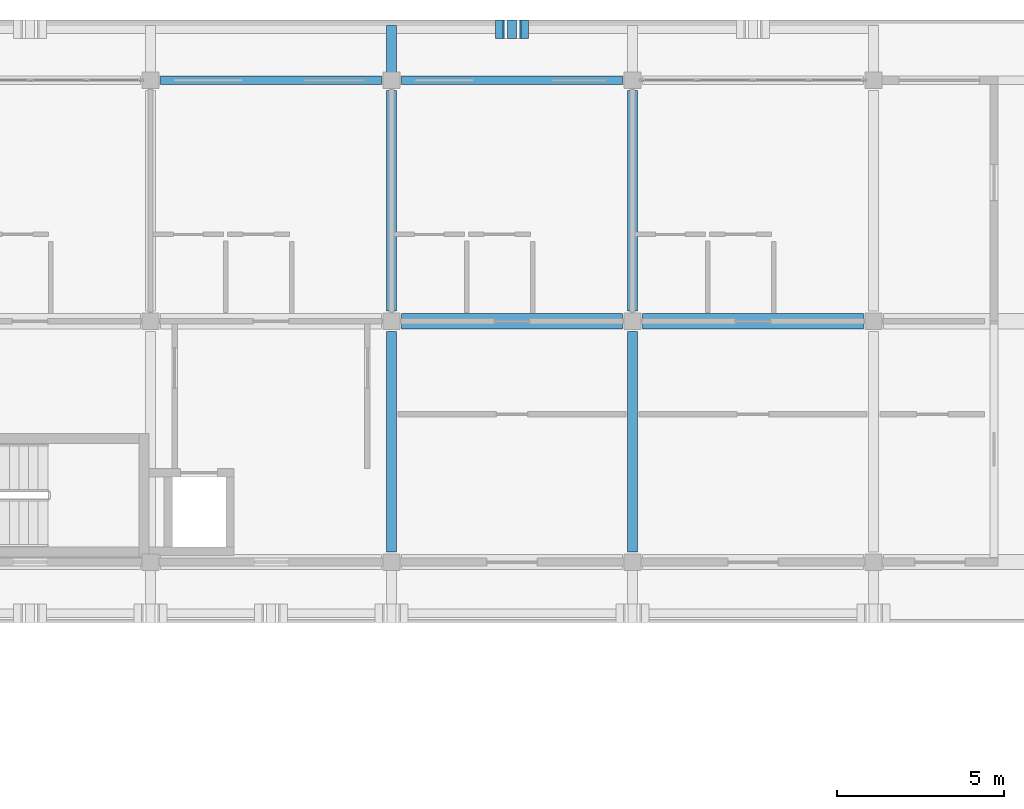
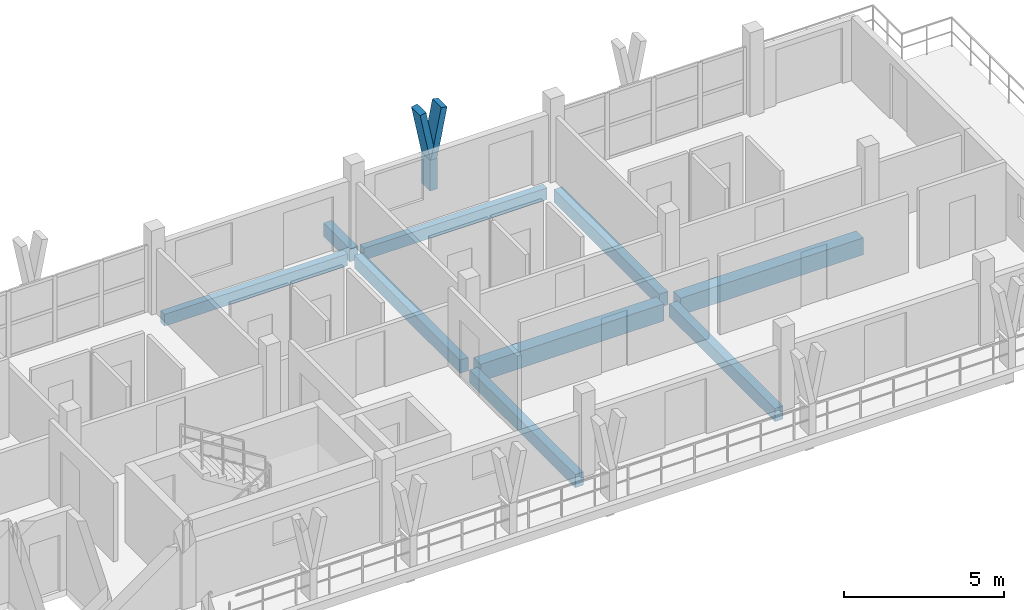
# One storey, part 12 of 45: 9 beams, 3 members.
"""IFC4 building model written with IfcOpenShell, lengths in metres."""

from ifc_helpers import new_model, si_unit, direction, frame, origin, origin_2d, place, context, subcontext, project, spatial, rectangle, extrude, material, material_profile, profile_set, type_object, element, save


model = new_model("IFC4")

# Units and contexts
model_context = context("Model", 3, precision=1e-05, world=origin(), true_north=direction((0.0, 1.0)))
body_context = subcontext(model_context, "Body", "Model", "MODEL_VIEW")
ifc_project = project(units=[si_unit("LENGTHUNIT", "METRE"), si_unit("AREAUNIT", "SQUARE_METRE"), si_unit("VOLUMEUNIT", "CUBIC_METRE"), si_unit("PLANEANGLEUNIT", "RADIAN"), si_unit("MASSUNIT", "GRAM", prefix="KILO")], contexts=[model_context])

# Site, building, storey
site_placement = place(None, origin())
site = spatial("IfcSite", under=ifc_project, at=site_placement, CompositionType="ELEMENT")
building_placement = place(site_placement, origin())
building = spatial("IfcBuilding", under=site, at=building_placement, Name="Suanplinth Sawtooth Commons", CompositionType="ELEMENT")
storey_placement = place(building_placement, frame((0.0, 0.0, 38.0)))
storey = spatial("IfcBuildingStorey", under=building, at=storey_placement, Name="L11", CompositionType="ELEMENT", Elevation=38.0)

# Beams
ifc_material_1 = material(Name="Precast concrete C40/50", Category="concrete")
ifc_material_profile_1 = material_profile(ifc_material_1, rectangle(XDim=0.449951171875, YDim=0.64990234375, at=origin_2d()), Name="PC-GDR 450x650")
ifc_profile_set_1 = profile_set([ifc_material_profile_1], Name="Precast concrete C40/50")
beam_type_1 = type_object("IfcBeamType", Name="B-04", PredefinedType="USERDEFINED", material=ifc_profile_set_1)
beam_1_placement = place(storey_placement, frame((72.300048828125, 115.199951171875, -0.56494140625), z_axis=(1.0, 0.0, 0.0), x_axis=(0.0, 1.0, 0.0)))
element("IfcBeam", 1, at=beam_1_placement, inside=storey, type_object=beam_type_1, Name="BMX-L11-A-10-16", ObjectType="GIRDER", PredefinedType="USERDEFINED", context=body_context, shape_type="SweptSolid", body=[
    extrude(rectangle(XDim=0.449951171875, YDim=0.64990234375, at=origin_2d()), origin(), (0.0, 0.0, 1.0), 6.599853515625),
])
beam_2_placement = place(storey_placement, frame((79.5, 115.199951171875, -0.56494140625), z_axis=(1.0, 0.0, 0.0), x_axis=(0.0, 1.0, 0.0)))
element("IfcBeam", 2, at=beam_2_placement, inside=storey, type_object=beam_type_1, Name="BMX-L11-A-11-16", ObjectType="GIRDER", PredefinedType="USERDEFINED", context=body_context, shape_type="SweptSolid", body=[
    extrude(rectangle(XDim=0.449951171875, YDim=0.64990234375, at=origin_2d()), origin(), (0.0, 0.0, 1.0), 6.60009765625),
])
ifc_material_profile_2 = material_profile(ifc_material_1, rectangle(XDim=0.300048828125, YDim=0.5, at=origin_2d()), Name="PC-BM 300x500")
ifc_profile_set_2 = profile_set([ifc_material_profile_2], Name="Precast concrete C40/50")
beam_type_2 = type_object("IfcBeamType", Name="B-07", PredefinedType="BEAM", material=ifc_profile_set_2)
beam_3_placement = place(storey_placement, frame((72.0, 108.300048828125, -0.489990234375), z_axis=(0.0, 1.0, 0.0), x_axis=(-1.0, 0.0, 0.0)))
element("IfcBeam", 3, at=beam_3_placement, inside=storey, type_object=beam_type_2, Name="BMY-L11-A-10-15", PredefinedType="BEAM", context=body_context, shape_type="SweptSolid", body=[
    extrude(rectangle(XDim=0.300048828125, YDim=0.5, at=origin_2d()), origin(), (0.0, 0.0, 1.0), 6.599853515625),
])
beam_4_placement = place(storey_placement, frame((72.0, 115.5, -0.489990234375), z_axis=(0.0, 1.0, 0.0), x_axis=(-1.0, 0.0, 0.0)))
element("IfcBeam", 4, at=beam_4_placement, inside=storey, type_object=beam_type_2, Name="BMY-L11-A-10-16", PredefinedType="BEAM", context=body_context, shape_type="SweptSolid", body=[
    extrude(rectangle(XDim=0.300048828125, YDim=0.5, at=origin_2d()), origin(), (0.0, 0.0, 1.0), 6.60009765625),
])
beam_5_placement = place(storey_placement, frame((79.199951171875, 108.300048828125, -0.489990234375), z_axis=(0.0, 1.0, 0.0), x_axis=(-1.0, 0.0, 0.0)))
element("IfcBeam", 5, at=beam_5_placement, inside=storey, type_object=beam_type_2, Name="BMY-L11-A-11-15", PredefinedType="BEAM", context=body_context, shape_type="SweptSolid", body=[
    extrude(rectangle(XDim=0.300048828125, YDim=0.5, at=origin_2d()), origin(), (0.0, 0.0, 1.0), 6.599853515625),
])
beam_6_placement = place(storey_placement, frame((79.199951171875, 115.5, -0.489990234375), z_axis=(0.0, 1.0, 0.0), x_axis=(-1.0, 0.0, 0.0)))
element("IfcBeam", 6, at=beam_6_placement, inside=storey, type_object=beam_type_2, Name="BMY-L11-A-11-16", PredefinedType="BEAM", context=body_context, shape_type="SweptSolid", body=[
    extrude(rectangle(XDim=0.300048828125, YDim=0.5, at=origin_2d()), origin(), (0.0, 0.0, 1.0), 6.60009765625),
])
beam_7_placement = place(storey_placement, frame((72.0, 122.39990234375, -0.429931640625), z_axis=(0.0, 1.0, 0.0), x_axis=(-1.0, 0.0, 0.0)))
element("IfcBeam", 7, at=beam_7_placement, inside=storey, type_object=beam_type_2, Name="Balcony Outrigger L11-A-N-10", PredefinedType="BEAM", context=body_context, shape_type="SweptSolid", body=[
    extrude(rectangle(XDim=0.300048828125, YDim=0.5, at=origin_2d()), origin(), (0.0, 0.0, 1.0), 1.64013671875),
])
ifc_material_profile_3 = material_profile(ifc_material_1, rectangle(XDim=0.25, YDim=0.449951171875, at=origin_2d()), Name="PC-SP 250x450")
ifc_profile_set_3 = profile_set([ifc_material_profile_3], Name="Precast concrete C40/50")
beam_type_3 = type_object("IfcBeamType", Name="B-09", PredefinedType="SPANDREL", material=ifc_profile_set_3)
for number, where, z_axis, x_axis, name in (
    (8, (65.10009765625, 122.39990234375, -0.465087890625), (1.0, 0.0, 0.0), (0.0, 1.0, 0.0), "BMX-L11-A-9-17"),
    (9, (72.300048828125, 122.39990234375, -0.465087890625), (1.0, 0.0, 0.0), (0.0, 1.0, 0.0), "BMX-L11-A-10-17"),
):
    element("IfcBeam", number, at=place(storey_placement, frame(where, z_axis=z_axis, x_axis=x_axis)), inside=storey, type_object=beam_type_3, Name=name, PredefinedType="SPANDREL", context=body_context, shape_type="SweptSolid", body=[
        extrude(rectangle(XDim=0.25, YDim=0.449951171875, at=origin_2d()), origin(), (0.0, 0.0, 1.0), 6.599853515625),
    ])

# Members
ifc_material_2 = material(Name="Pigmented precast concrete C40/50", Category="concrete")
ifc_material_profile_4 = material_profile(ifc_material_2, rectangle(XDim=0.260009765625, YDim=0.550048828125, at=origin_2d()), Name="PC-FIN 260x550")
ifc_profile_set_4 = profile_set([ifc_material_profile_4], Name="Pigmented precast concrete C40/50")
member_type_1 = type_object("IfcMemberType", Name="M-09", PredefinedType="USERDEFINED", material=ifc_profile_set_4)
member_1_placement = place(storey_placement, frame((75.60009765625, 123.919921875, 0.0), z_axis=(0.0, 0.0, 1.0), x_axis=(1.0, 0.0, 0.0)))
element("IfcMember", 10, at=member_1_placement, inside=storey, type_object=member_type_1, Name="Y-Blade Stem L11-A-N-04", ObjectType="SHADING FIN", PredefinedType="USERDEFINED", context=body_context, shape_type="SweptSolid", body=[
    extrude(rectangle(XDim=0.260009765625, YDim=0.550048828125, at=origin_2d()), origin(), (0.0, 0.0, 1.0), 1.169921875),
])
ifc_material_profile_5 = material_profile(ifc_material_2, rectangle(XDim=0.219970703125, YDim=0.550048828125, at=origin_2d()), Name="PC-FIN 220x550")
ifc_profile_set_5 = profile_set([ifc_material_profile_5], Name="Pigmented precast concrete C40/50")
member_type_2 = type_object("IfcMemberType", Name="M-10", PredefinedType="USERDEFINED", material=ifc_profile_set_5)
member_2_placement = place(storey_placement, frame((75.60009765625, 123.919921875, 1.1298828125), z_axis=(-0.196406855569, 0.0, 0.980522486782), x_axis=(0.980522486782, 0.0, 0.196406855569)))
element("IfcMember", 11, at=member_2_placement, inside=storey, type_object=member_type_2, Name="Y-Blade Arm L L11-A-N-04", ObjectType="SHADING FIN", PredefinedType="USERDEFINED", context=body_context, shape_type="SweptSolid", body=[
    extrude(rectangle(XDim=0.219970703125, YDim=0.550048828125, at=origin_2d()), origin(), (0.0, 0.0, 1.0), 1.93798828125),
])
member_3_placement = place(storey_placement, frame((75.60009765625, 123.919921875, 1.1298828125), z_axis=(0.196285728346, 0.0, 0.980546741796), x_axis=(-0.980546741796, 0.0, 0.196285728346)))
element("IfcMember", 12, at=member_3_placement, inside=storey, type_object=member_type_2, Name="Y-Blade Arm R L11-A-N-04", ObjectType="SHADING FIN", PredefinedType="USERDEFINED", context=body_context, shape_type="SweptSolid", body=[
    extrude(rectangle(XDim=0.219970703125, YDim=0.550048828125, at=origin_2d()), origin(), (0.0, 0.0, 1.0), 1.937744140625),
])

save(model, "model.ifc")
